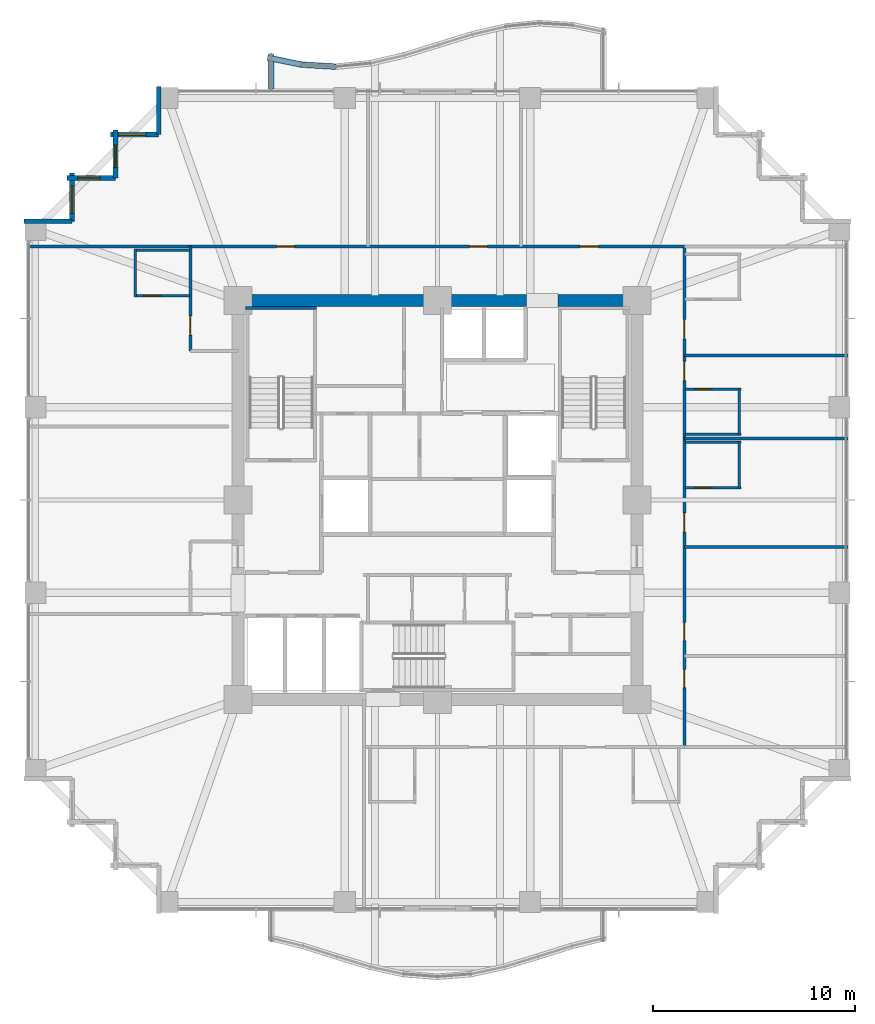
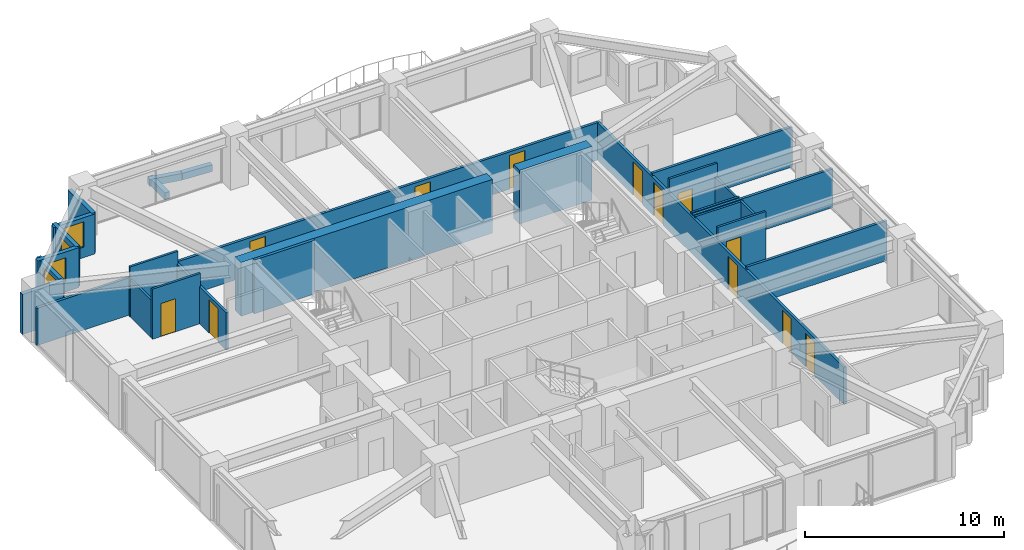
# One storey, part 35 of 38: 28 walls, 12 doors, 4 windows, 16 openings.
"""IFC4 building model written with IfcOpenShell, lengths in metres."""

from ifc_helpers import new_model, si_unit, direction, frame, frame_2d, origin, place, context, subcontext, project, spatial, rectangle, extrude, material, layer, layer_set, type_object, element, fill, save


model = new_model("IFC4")

# Units and contexts
model_context = context("Model", 3, precision=1e-05, world=origin(), true_north=direction((0.0, 1.0)))
body_context = subcontext(model_context, "Body", "Model", "MODEL_VIEW")
ifc_project = project(units=[si_unit("LENGTHUNIT", "METRE"), si_unit("AREAUNIT", "SQUARE_METRE"), si_unit("VOLUMEUNIT", "CUBIC_METRE"), si_unit("PLANEANGLEUNIT", "RADIAN"), si_unit("MASSUNIT", "GRAM", prefix="KILO")], contexts=[model_context])

# Site, building, storey
site_placement = place(None, origin())
site = spatial("IfcSite", under=ifc_project, at=site_placement, CompositionType="ELEMENT")
building_placement = place(site_placement, origin())
building = spatial("IfcBuilding", under=site, at=building_placement, Name="Kolvaren Belvedere", CompositionType="ELEMENT")
storey_placement = place(building_placement, frame((0.0, 0.0, 98.60009765625)))
storey = spatial("IfcBuildingStorey", under=building, at=storey_placement, Name="L28", CompositionType="ELEMENT", Elevation=98.60009765625)

# Walls
ifc_material_1 = material(Name="Concrete C60/75", Category="concrete")
ifc_layer_1 = layer(ifc_material_1, 0.60009765625)
ifc_layer_set_1 = layer_set([ifc_layer_1], Name="Concrete C60/75")
wall_type_1 = type_object("IfcWallType", Name="CW-CORE-600", PredefinedType="SHEAR", material=ifc_layer_set_1)
wall_1_placement = place(storey_placement, frame((-10.199951171875, 9.89990234375, 0.0), z_axis=(0.0, 0.0, 1.0), x_axis=(1.0, 0.0, 0.0)))
element("IfcWall", 1, at=wall_1_placement, inside=storey, type_object=wall_type_1, Name="L28 North Core Shear Wall 1", PredefinedType="SHEAR", context=body_context, shape_type="SweptSolid", body=[
    extrude(rectangle(XDim=14.619873046875, YDim=0.60009765625, at=frame_2d((7.31005859375, 0.0))), origin(), (0.0, 0.0, 1.0), 3.2998046875),
])
wall_2_placement = place(storey_placement, frame((5.97998046875, 9.89990234375, 0.0), z_axis=(0.0, 0.0, 1.0), x_axis=(1.0, 0.0, 0.0)))
element("IfcWall", 2, at=wall_2_placement, inside=storey, type_object=wall_type_1, Name="L28 North Core Shear Wall 2", PredefinedType="SHEAR", context=body_context, shape_type="SweptSolid", body=[
    extrude(rectangle(XDim=4.219970703125, YDim=0.60009765625, at=frame_2d((2.10986328125, 0.0))), origin(), (0.0, 0.0, 1.0), 3.2998046875),
])
ifc_material_2 = material(Name="Concrete C50/60", Category="concrete")
ifc_layer_2 = layer(ifc_material_2, 0.159912109375)
ifc_layer_set_2 = layer_set([ifc_layer_2], Name="Concrete C50/60")
wall_type_2 = type_object("IfcWallType", Name="CW-STAIR-160", PredefinedType="SHEAR", material=ifc_layer_set_2)
wall_3_placement = place(storey_placement, frame((-9.52001953125, 9.530029296875, 0.0), z_axis=(0.0, 0.0, 1.0), x_axis=(1.0, 0.0, 0.0)))
element("IfcWall", 3, at=wall_3_placement, inside=storey, type_object=wall_type_2, Name="L28 Stair ST-1 North Shear Wall", PredefinedType="SHEAR", context=body_context, shape_type="SweptSolid", body=[
    extrude(rectangle(XDim=3.52001953125, YDim=0.159912109375, at=frame_2d((1.760009765625, 0.0))), origin(), (0.0, 0.0, 1.0), 3.2998046875),
])

# Wall, openings, doors
ifc_material_3 = material(Name="Gypsum fire-rated partition assembly", Category="gypsum")
ifc_layer_3 = layer(ifc_material_3, 0.14990234375)
ifc_layer_set_3 = layer_set([ifc_layer_3], Name="Gypsum fire-rated partition assembly")
wall_type_3 = type_object("IfcWallType", Name="WL-CORR-150", PredefinedType="PARTITIONING", material=ifc_layer_set_3)
wall_4_placement = place(storey_placement, frame((-12.260009765625, 12.580078125, 0.0), z_axis=(0.0, 0.0, 1.0), x_axis=(1.0, 0.0, 0.0)))
wall_4 = element("IfcWall", 4, at=wall_4_placement, inside=storey, type_object=wall_type_3, Name="L28 North Corridor Wall", PredefinedType="PARTITIONING", context=body_context, shape_type="SweptSolid", body=[
    extrude(rectangle(XDim=24.52001953125, YDim=0.14990234375, at=frame_2d((12.260009765625, 0.0))), origin(), (0.0, 0.0, 1.0), 2.2919921875),
])
opening_1_placement = place(wall_4_placement, frame((4.27490234375, 0.0, 0.0)))
opening_1 = element("IfcOpeningElement", 5, at=opening_1_placement, cuts=wall_4, Name="Opening D-INT90", PredefinedType="OPENING", context=body_context, shape_type="SweptSolid", body=[
    extrude(rectangle(XDim=0.89990234375, YDim=2.06005859375, at=frame_2d((0.449951171875, 1.030029296875))), frame((0.0, 0.0849609375, 0.0), z_axis=(0.0, -1.0, 0.0), x_axis=(1.0, 0.0, 0.0)), (0.0, 0.0, 1.0), 0.169921875),
])
opening_2_placement = place(wall_4_placement, frame((13.840087890625, 0.0, 0.0)))
opening_2 = element("IfcOpeningElement", 6, at=opening_2_placement, cuts=wall_4, Name="Opening D-INT90", PredefinedType="OPENING", context=body_context, shape_type="SweptSolid", body=[
    extrude(rectangle(XDim=0.89990234375, YDim=2.06005859375, at=frame_2d((0.449951171875, 1.030029296875))), frame((0.0, 0.0849609375, 0.0), z_axis=(0.0, -1.0, 0.0), x_axis=(1.0, 0.0, 0.0)), (0.0, 0.0, 1.0), 0.169921875),
])
opening_3_placement = place(wall_4_placement, frame((19.344970703125, 0.0, 0.0)))
opening_3 = element("IfcOpeningElement", 7, at=opening_3_placement, cuts=wall_4, Name="Opening D-INT90", PredefinedType="OPENING", context=body_context, shape_type="SweptSolid", body=[
    extrude(rectangle(XDim=0.89990234375, YDim=2.06005859375, at=frame_2d((0.449951171875, 1.030029296875))), frame((0.0, 0.0849609375, 0.0), z_axis=(0.0, -1.0, 0.0), x_axis=(1.0, 0.0, 0.0)), (0.0, 0.0, 1.0), 0.169921875),
])
ifc_material_4 = material(Name="Stained Pacific white oak", Category="timber")
door_type_1 = type_object("IfcDoorType", Name="DR-INT-900", OperationType="NOTDEFINED", PredefinedType="DOOR", material=ifc_material_4)
door_1_placement = place(opening_1_placement, origin())
door_1 = element("IfcDoor", 8, at=door_1_placement, inside=storey, type_object=door_type_1, Name="L28 Lounge 2801 Door", OperationType="SINGLE_SWING_LEFT", OverallHeight=2.06005859375, OverallWidth=0.89990234375, PredefinedType="DOOR", context=body_context, shape_type="SweptSolid", body=[
    extrude(rectangle(XDim=0.89990234375, YDim=2.06005859375, at=frame_2d((0.449951171875, 1.030029296875))), frame((0.0, 0.02490234375, 0.0), z_axis=(0.0, -1.0, 0.0), x_axis=(1.0, 0.0, 0.0)), (0.0, 0.0, 1.0), 0.050048828125),
])
fill(opening_1, door_1)
door_2_placement = place(opening_2_placement, origin())
door_2 = element("IfcDoor", 9, at=door_2_placement, inside=storey, type_object=door_type_1, Name="L28 Wellness Yoga & Reading Gym 2802 Door", OperationType="SINGLE_SWING_RIGHT", OverallHeight=2.06005859375, OverallWidth=0.89990234375, PredefinedType="DOOR", context=body_context, shape_type="SweptSolid", body=[
    extrude(rectangle(XDim=0.89990234375, YDim=2.06005859375, at=frame_2d((0.449951171875, 1.030029296875))), frame((0.0, 0.02490234375, 0.0), z_axis=(0.0, -1.0, 0.0), x_axis=(1.0, 0.0, 0.0)), (0.0, 0.0, 1.0), 0.050048828125),
])
fill(opening_2, door_2)
door_3_placement = place(opening_3_placement, origin())
door_3 = element("IfcDoor", 10, at=door_3_placement, inside=storey, type_object=door_type_1, Name="L28 Lounge 2803 Door", OperationType="SINGLE_SWING_LEFT", OverallHeight=2.06005859375, OverallWidth=0.89990234375, PredefinedType="DOOR", context=body_context, shape_type="SweptSolid", body=[
    extrude(rectangle(XDim=0.89990234375, YDim=2.06005859375, at=frame_2d((0.449951171875, 1.030029296875))), frame((0.0, 0.02490234375, 0.0), z_axis=(0.0, -1.0, 0.0), x_axis=(1.0, 0.0, 0.0)), (0.0, 0.0, 1.0), 0.050048828125),
])
fill(opening_3, door_3)

# Wall, opening, door
wall_5_placement = place(storey_placement, frame((-12.260009765625, 7.39990234375, 0.0), z_axis=(0.0, 0.0, 1.0), x_axis=(0.0, 1.0, 0.0)))
wall_5 = element("IfcWall", 11, at=wall_5_placement, inside=storey, type_object=wall_type_3, Name="L28 NW Corridor End Wall", PredefinedType="PARTITIONING", context=body_context, shape_type="SweptSolid", body=[
    extrude(rectangle(XDim=5.18017578125, YDim=0.14990234375, at=frame_2d((2.590087890625, 0.0))), origin(), (0.0, 0.0, 1.0), 2.2919921875),
])
opening_4_placement = place(wall_5_placement, frame((0.787109375, 0.0, 0.0)))
opening_4 = element("IfcOpeningElement", 12, at=opening_4_placement, cuts=wall_5, Name="Opening D-FD60", PredefinedType="OPENING", context=body_context, shape_type="SweptSolid", body=[
    extrude(rectangle(XDim=0.949951171875, YDim=2.06005859375, at=frame_2d((0.47509765625, 1.030029296875))), frame((0.0, 0.0849609375, 0.0), z_axis=(0.0, -1.0, 0.0), x_axis=(1.0, 0.0, 0.0)), (0.0, 0.0, 1.0), 0.169921875),
])
ifc_material_5 = material(Name="Acoustic white-oak fire door leaf", Category="timber")
door_type_2 = type_object("IfcDoorType", Name="DR-FD60-950", OperationType="NOTDEFINED", PredefinedType="DOOR", material=ifc_material_5)
door_4_placement = place(opening_4_placement, origin())
door_4 = element("IfcDoor", 13, at=door_4_placement, inside=storey, type_object=door_type_2, Name="L28 Botanical Hospitality Suite 2809 Entry Door", OperationType="SINGLE_SWING_LEFT", OverallHeight=2.06005859375, OverallWidth=0.949951171875, PredefinedType="DOOR", context=body_context, shape_type="SweptSolid", body=[
    extrude(rectangle(XDim=0.949951171875, YDim=2.06005859375, at=frame_2d((0.47509765625, 1.030029296875))), frame((0.0, 0.02490234375, 0.0), z_axis=(0.0, -1.0, 0.0), x_axis=(1.0, 0.0, 0.0)), (0.0, 0.0, 1.0), 0.050048828125),
])
fill(opening_4, door_4)

# Wall, openings, doors
wall_6_placement = place(storey_placement, frame((12.260009765625, -12.260009765625, 0.0), z_axis=(0.0, 0.0, 1.0), x_axis=(0.0, 1.0, 0.0)))
wall_6 = element("IfcWall", 14, at=wall_6_placement, inside=storey, type_object=wall_type_3, Name="L28 East Corridor Wall", PredefinedType="PARTITIONING", context=body_context, shape_type="SweptSolid", body=[
    extrude(rectangle(XDim=24.840087890625, YDim=0.14990234375, at=frame_2d((12.419921875, 0.0))), origin(), (0.0, 0.0, 1.0), 2.2919921875),
])
opening_5_placement = place(wall_6_placement, frame((2.9443359375, 0.0, 0.0)))
opening_5 = element("IfcOpeningElement", 15, at=opening_5_placement, cuts=wall_6, Name="Opening D-INT90", PredefinedType="OPENING", context=body_context, shape_type="SweptSolid", body=[
    extrude(rectangle(XDim=0.89990234375, YDim=2.06005859375, at=frame_2d((0.449951171875, 1.030029296875))), frame((0.0, 0.0849609375, 0.0), z_axis=(0.0, -1.0, 0.0), x_axis=(1.0, 0.0, 0.0)), (0.0, 0.0, 1.0), 0.169921875),
])
opening_6_placement = place(wall_6_placement, frame((5.279296875, 0.0, 0.0)))
opening_6 = element("IfcOpeningElement", 16, at=opening_6_placement, cuts=wall_6, Name="Opening D-INT90", PredefinedType="OPENING", context=body_context, shape_type="SweptSolid", body=[
    extrude(rectangle(XDim=0.89990234375, YDim=2.06005859375, at=frame_2d((0.449951171875, 1.030029296875))), frame((0.0, 0.0849609375, 0.0), z_axis=(0.0, -1.0, 0.0), x_axis=(1.0, 0.0, 0.0)), (0.0, 0.0, 1.0), 0.169921875),
])
opening_7_placement = place(wall_6_placement, frame((10.670654296875, 0.0, 0.0)))
opening_7 = element("IfcOpeningElement", 17, at=opening_7_placement, cuts=wall_6, Name="Opening D-FD60", PredefinedType="OPENING", context=body_context, shape_type="SweptSolid", body=[
    extrude(rectangle(XDim=0.949951171875, YDim=2.06005859375, at=frame_2d((0.47509765625, 1.030029296875))), frame((0.0, 0.0849609375, 0.0), z_axis=(0.0, -1.0, 0.0), x_axis=(1.0, 0.0, 0.0)), (0.0, 0.0, 1.0), 0.169921875),
])
opening_8_placement = place(wall_6_placement, frame((18.185546875, 0.0, 0.0)))
opening_8 = element("IfcOpeningElement", 18, at=opening_8_placement, cuts=wall_6, Name="Opening D-FD60", PredefinedType="OPENING", context=body_context, shape_type="SweptSolid", body=[
    extrude(rectangle(XDim=0.949951171875, YDim=2.06005859375, at=frame_2d((0.47509765625, 1.030029296875))), frame((0.0, 0.0849609375, 0.0), z_axis=(0.0, -1.0, 0.0), x_axis=(1.0, 0.0, 0.0)), (0.0, 0.0, 1.0), 0.169921875),
])
opening_9_placement = place(wall_6_placement, frame((20.258544921875, 0.0, 0.0)))
opening_9 = element("IfcOpeningElement", 19, at=opening_9_placement, cuts=wall_6, Name="Opening D-FD60", PredefinedType="OPENING", context=body_context, shape_type="SweptSolid", body=[
    extrude(rectangle(XDim=0.949951171875, YDim=2.06005859375, at=frame_2d((0.47509765625, 1.030029296875))), frame((0.0, 0.0849609375, 0.0), z_axis=(0.0, -1.0, 0.0), x_axis=(1.0, 0.0, 0.0)), (0.0, 0.0, 1.0), 0.169921875),
])
door_5_placement = place(opening_7_placement, origin())
door_5 = element("IfcDoor", 20, at=door_5_placement, inside=storey, type_object=door_type_2, Name="L28 Botanical Hospitality Suite 2806 Entry Door", OperationType="SINGLE_SWING_LEFT", OverallHeight=2.06005859375, OverallWidth=0.949951171875, PredefinedType="DOOR", context=body_context, shape_type="SweptSolid", body=[
    extrude(rectangle(XDim=0.949951171875, YDim=2.06005859375, at=frame_2d((0.47509765625, 1.030029296875))), frame((0.0, 0.02490234375, 0.0), z_axis=(0.0, -1.0, 0.0), x_axis=(1.0, 0.0, 0.0)), (0.0, 0.0, 1.0), 0.050048828125),
])
fill(opening_7, door_5)
door_6_placement = place(opening_8_placement, origin())
door_6 = element("IfcDoor", 21, at=door_6_placement, inside=storey, type_object=door_type_2, Name="L28 King Guest Room 2807 Entry Door", OperationType="SINGLE_SWING_LEFT", OverallHeight=2.06005859375, OverallWidth=0.949951171875, PredefinedType="DOOR", context=body_context, shape_type="SweptSolid", body=[
    extrude(rectangle(XDim=0.949951171875, YDim=2.06005859375, at=frame_2d((0.47509765625, 1.030029296875))), frame((0.0, 0.02490234375, 0.0), z_axis=(0.0, -1.0, 0.0), x_axis=(1.0, 0.0, 0.0)), (0.0, 0.0, 1.0), 0.050048828125),
])
fill(opening_8, door_6)
door_7_placement = place(opening_9_placement, origin())
door_7 = element("IfcDoor", 22, at=door_7_placement, inside=storey, type_object=door_type_2, Name="L28 King Guest Room 2808 Entry Door", OperationType="SINGLE_SWING_LEFT", OverallHeight=2.06005859375, OverallWidth=0.949951171875, PredefinedType="DOOR", context=body_context, shape_type="SweptSolid", body=[
    extrude(rectangle(XDim=0.949951171875, YDim=2.06005859375, at=frame_2d((0.47509765625, 1.030029296875))), frame((0.0, 0.02490234375, 0.0), z_axis=(0.0, -1.0, 0.0), x_axis=(1.0, 0.0, 0.0)), (0.0, 0.0, 1.0), 0.050048828125),
])
fill(opening_9, door_7)
door_8_placement = place(opening_5_placement, origin())
door_8 = element("IfcDoor", 23, at=door_8_placement, inside=storey, type_object=door_type_1, Name="L28 Guest Tea & Espresso Kitchen 2804 Door", OperationType="SINGLE_SWING_RIGHT", OverallHeight=2.06005859375, OverallWidth=0.89990234375, PredefinedType="DOOR", context=body_context, shape_type="SweptSolid", body=[
    extrude(rectangle(XDim=0.89990234375, YDim=2.06005859375, at=frame_2d((0.449951171875, 1.030029296875))), frame((0.0, 0.02490234375, 0.0), z_axis=(0.0, -1.0, 0.0), x_axis=(1.0, 0.0, 0.0)), (0.0, 0.0, 1.0), 0.050048828125),
])
fill(opening_5, door_8)
door_9_placement = place(opening_6_placement, origin())
door_9 = element("IfcDoor", 24, at=door_9_placement, inside=storey, type_object=door_type_1, Name="L28 Private Hospitality Meeting Room 2805 Door", OperationType="SINGLE_SWING_LEFT", OverallHeight=2.06005859375, OverallWidth=0.89990234375, PredefinedType="DOOR", context=body_context, shape_type="SweptSolid", body=[
    extrude(rectangle(XDim=0.89990234375, YDim=2.06005859375, at=frame_2d((0.449951171875, 1.030029296875))), frame((0.0, 0.02490234375, 0.0), z_axis=(0.0, -1.0, 0.0), x_axis=(1.0, 0.0, 0.0)), (0.0, 0.0, 1.0), 0.050048828125),
])
fill(opening_6, door_9)

# Wall
ifc_material_6 = material(Name="Insulated pale-metal facade wall assembly", Category="aluminium")
ifc_layer_4 = layer(ifc_material_6, 0.239990234375)
ifc_layer_set_4 = layer_set([ifc_layer_4], Name="Insulated pale-metal facade wall assembly")
wall_type_4 = type_object("IfcWallType", Name="WL-EXT-240", PredefinedType="STANDARD", material=ifc_layer_set_4)
wall_7_placement = place(storey_placement, frame((-13.830078125, 18.1298828125, 0.0), z_axis=(0.0, 0.0, 1.0), x_axis=(0.0, 1.0, 0.0)))
element("IfcWall", 25, at=wall_7_placement, inside=storey, type_object=wall_type_4, Name="L28 Serrated Corner Facade Wall 16", PredefinedType="STANDARD", context=body_context, shape_type="SweptSolid", body=[
    extrude(rectangle(XDim=2.39013671875, YDim=0.239990234375, at=frame_2d((1.195068359375, 0.0))), origin(), (0.0, 0.0, 1.0), 2.458984375),
])

# Wall, opening, window
wall_8_placement = place(storey_placement, frame((-16.219970703125, 18.1298828125, 0.0), z_axis=(0.0, 0.0, 1.0), x_axis=(1.0, 0.0, 0.0)))
wall_8 = element("IfcWall", 26, at=wall_8_placement, inside=storey, type_object=wall_type_4, Name="L28 Serrated Corner Facade Wall 17", PredefinedType="STANDARD", context=body_context, shape_type="SweptSolid", body=[
    extrude(rectangle(XDim=2.389892578125, YDim=0.239990234375, at=frame_2d((1.19482421875, 0.0))), origin(), (0.0, 0.0, 1.0), 2.458984375),
])
opening_10_placement = place(wall_8_placement, frame((0.39990234375, 0.0, 0.64990234375)))
opening_10 = element("IfcOpeningElement", 27, at=opening_10_placement, cuts=wall_8, Name="Opening W-1350", PredefinedType="OPENING", context=body_context, shape_type="SweptSolid", body=[
    extrude(rectangle(XDim=1.35009765625, YDim=1.550048828125, at=frame_2d((0.675048828125, 0.77490234375))), frame((0.0, 0.1298828125, 0.0), z_axis=(0.0, -1.0, 0.0), x_axis=(1.0, 0.0, 0.0)), (0.0, 0.0, 1.0), 0.260009765625),
])
ifc_material_7 = material(Name="Low-iron triple insulated glass", Category="glass")
window_type_1 = type_object("IfcWindowType", Name="WN-CORN-1350", PartitioningType="SINGLE_PANEL", PredefinedType="WINDOW", material=ifc_material_7)
window_1_placement = place(opening_10_placement, origin())
window_1 = element("IfcWindow", 28, at=window_1_placement, inside=storey, type_object=window_type_1, Name="L28 Serrated Corner Vision Window 17", OverallHeight=1.550048828125, OverallWidth=1.35009765625, PartitioningType="SINGLE_PANEL", PredefinedType="WINDOW", context=body_context, shape_type="SweptSolid", body=[
    extrude(rectangle(XDim=1.35009765625, YDim=1.550048828125, at=frame_2d((0.675048828125, 0.77490234375))), frame((0.0, 0.030029296875, 0.0), z_axis=(0.0, -1.0, 0.0), x_axis=(1.0, 0.0, 0.0)), (0.0, 0.0, 1.0), 0.06005859375),
])
fill(opening_10, window_1)

wall_9_placement = place(storey_placement, frame((-15.97998046875, 15.97998046875, 0.0), z_axis=(0.0, 0.0, 1.0), x_axis=(0.0, 1.0, 0.0)))
wall_9 = element("IfcWall", 29, at=wall_9_placement, inside=storey, type_object=wall_type_4, Name="L28 Serrated Corner Facade Wall 18", PredefinedType="STANDARD", context=body_context, shape_type="SweptSolid", body=[
    extrude(rectangle(XDim=2.39013671875, YDim=0.239990234375, at=frame_2d((1.195068359375, 0.0))), origin(), (0.0, 0.0, 1.0), 2.458984375),
])
opening_11_placement = place(wall_9_placement, frame((0.52490234375, 0.0, 0.64990234375)))
opening_11 = element("IfcOpeningElement", 30, at=opening_11_placement, cuts=wall_9, Name="Opening W-1100", PredefinedType="OPENING", context=body_context, shape_type="SweptSolid", body=[
    extrude(rectangle(XDim=1.10009765625, YDim=1.449951171875, at=frame_2d((0.550048828125, 0.72509765625))), frame((0.0, 0.1298828125, 0.0), z_axis=(0.0, -1.0, 0.0), x_axis=(1.0, 0.0, 0.0)), (0.0, 0.0, 1.0), 0.260009765625),
])
ifc_material_8 = material(Name="Low-iron triple insulated glass", Category="glass")
window_type_2 = type_object("IfcWindowType", Name="WN-CORN-1100", PartitioningType="SINGLE_PANEL", PredefinedType="WINDOW", material=ifc_material_8)
window_2_placement = place(opening_11_placement, origin())
window_2 = element("IfcWindow", 31, at=window_2_placement, inside=storey, type_object=window_type_2, Name="L28 Serrated Corner Vision Window 18", OverallHeight=1.449951171875, OverallWidth=1.10009765625, PartitioningType="SINGLE_PANEL", PredefinedType="WINDOW", context=body_context, shape_type="SweptSolid", body=[
    extrude(rectangle(XDim=1.10009765625, YDim=1.449951171875, at=frame_2d((0.550048828125, 0.72509765625))), frame((0.0, 0.030029296875, 0.0), z_axis=(0.0, -1.0, 0.0), x_axis=(1.0, 0.0, 0.0)), (0.0, 0.0, 1.0), 0.06005859375),
])
fill(opening_11, window_2)

wall_10_placement = place(storey_placement, frame((-18.3701171875, 15.97998046875, 0.0), z_axis=(0.0, 0.0, 1.0), x_axis=(1.0, 0.0, 0.0)))
wall_10 = element("IfcWall", 32, at=wall_10_placement, inside=storey, type_object=wall_type_4, Name="L28 Serrated Corner Facade Wall 19", PredefinedType="STANDARD", context=body_context, shape_type="SweptSolid", body=[
    extrude(rectangle(XDim=2.39013671875, YDim=0.239990234375, at=frame_2d((1.195068359375, 0.0))), origin(), (0.0, 0.0, 1.0), 2.458984375),
])
opening_12_placement = place(wall_10_placement, frame((0.52490234375, 0.0, 0.64990234375)))
opening_12 = element("IfcOpeningElement", 33, at=opening_12_placement, cuts=wall_10, Name="Opening W-1100", PredefinedType="OPENING", context=body_context, shape_type="SweptSolid", body=[
    extrude(rectangle(XDim=1.10009765625, YDim=1.449951171875, at=frame_2d((0.550048828125, 0.72509765625))), frame((0.0, 0.1298828125, 0.0), z_axis=(0.0, -1.0, 0.0), x_axis=(1.0, 0.0, 0.0)), (0.0, 0.0, 1.0), 0.260009765625),
])
window_3_placement = place(opening_12_placement, origin())
window_3 = element("IfcWindow", 34, at=window_3_placement, inside=storey, type_object=window_type_2, Name="L28 Serrated Corner Vision Window 19", OverallHeight=1.449951171875, OverallWidth=1.10009765625, PartitioningType="SINGLE_PANEL", PredefinedType="WINDOW", context=body_context, shape_type="SweptSolid", body=[
    extrude(rectangle(XDim=1.10009765625, YDim=1.449951171875, at=frame_2d((0.550048828125, 0.72509765625))), frame((0.0, 0.030029296875, 0.0), z_axis=(0.0, -1.0, 0.0), x_axis=(1.0, 0.0, 0.0)), (0.0, 0.0, 1.0), 0.06005859375),
])
fill(opening_12, window_3)

wall_11_placement = place(storey_placement, frame((-18.1298828125, 13.830078125, 0.0), z_axis=(0.0, 0.0, 1.0), x_axis=(0.0, 1.0, 0.0)))
wall_11 = element("IfcWall", 35, at=wall_11_placement, inside=storey, type_object=wall_type_4, Name="L28 Serrated Corner Facade Wall 20", PredefinedType="STANDARD", context=body_context, shape_type="SweptSolid", body=[
    extrude(rectangle(XDim=2.389892578125, YDim=0.239990234375, at=frame_2d((1.19482421875, 0.0))), origin(), (0.0, 0.0, 1.0), 2.458984375),
])
opening_13_placement = place(wall_11_placement, frame((0.39990234375, 0.0, 0.64990234375)))
opening_13 = element("IfcOpeningElement", 36, at=opening_13_placement, cuts=wall_11, Name="Opening W-1350", PredefinedType="OPENING", context=body_context, shape_type="SweptSolid", body=[
    extrude(rectangle(XDim=1.35009765625, YDim=1.550048828125, at=frame_2d((0.675048828125, 0.77490234375))), frame((0.0, 0.1298828125, 0.0), z_axis=(0.0, -1.0, 0.0), x_axis=(1.0, 0.0, 0.0)), (0.0, 0.0, 1.0), 0.260009765625),
])
window_4_placement = place(opening_13_placement, origin())
window_4 = element("IfcWindow", 37, at=window_4_placement, inside=storey, type_object=window_type_1, Name="L28 Serrated Corner Vision Window 20", OverallHeight=1.550048828125, OverallWidth=1.35009765625, PartitioningType="SINGLE_PANEL", PredefinedType="WINDOW", context=body_context, shape_type="SweptSolid", body=[
    extrude(rectangle(XDim=1.35009765625, YDim=1.550048828125, at=frame_2d((0.675048828125, 0.77490234375))), frame((0.0, 0.030029296875, 0.0), z_axis=(0.0, -1.0, 0.0), x_axis=(1.0, 0.0, 0.0)), (0.0, 0.0, 1.0), 0.06005859375),
])
fill(opening_13, window_4)

# Walls
wall_12_placement = place(storey_placement, frame((-20.52001953125, 13.830078125, 0.0), z_axis=(0.0, 0.0, 1.0), x_axis=(1.0, 0.0, 0.0)))
element("IfcWall", 38, at=wall_12_placement, inside=storey, type_object=wall_type_4, Name="L28 Serrated Corner Facade Wall 21", PredefinedType="STANDARD", context=body_context, shape_type="SweptSolid", body=[
    extrude(rectangle(XDim=2.39013671875, YDim=0.239990234375, at=frame_2d((1.195068359375, 0.0))), origin(), (0.0, 0.0, 1.0), 2.458984375),
])
ifc_material_9 = material(Name="Gypsum acoustic partition assembly", Category="gypsum")
ifc_layer_5 = layer(ifc_material_9, 0.14990234375)
ifc_layer_set_5 = layer_set([ifc_layer_5], Name="Gypsum acoustic partition assembly")
wall_type_5 = type_object("IfcWallType", Name="WL-PART-150", PredefinedType="PARTITIONING", material=ifc_layer_set_5)
wall_13_placement = place(storey_placement, frame((-20.3798828125, 12.580078125, 0.0), z_axis=(0.0, 0.0, 1.0), x_axis=(1.0, 0.0, 0.0)))
element("IfcWall", 39, at=wall_13_placement, inside=storey, type_object=wall_type_5, Name="L28 Wing Divider PW-L28-QNW", PredefinedType="PARTITIONING", context=body_context, shape_type="SweptSolid", body=[
    extrude(rectangle(XDim=8.119873046875, YDim=0.14990234375, at=frame_2d((4.06005859375, 0.0))), origin(), (0.0, 0.0, 1.0), 2.2919921875),
])
wall_14_placement = place(storey_placement, frame((12.260009765625, -2.340087890625, 0.0), z_axis=(0.0, 0.0, 1.0), x_axis=(1.0, 0.0, 0.0)))
element("IfcWall", 40, at=wall_14_placement, inside=storey, type_object=wall_type_5, Name="L28 East Suite Demising Wall 2", PredefinedType="PARTITIONING", context=body_context, shape_type="SweptSolid", body=[
    extrude(rectangle(XDim=8.119873046875, YDim=0.14990234375, at=frame_2d((4.06005859375, 0.0))), origin(), (0.0, 0.0, 1.0), 2.448974609375),
])
wall_15_placement = place(storey_placement, frame((12.260009765625, 3.06005859375, 0.0), z_axis=(0.0, 0.0, 1.0), x_axis=(1.0, 0.0, 0.0)))
element("IfcWall", 41, at=wall_15_placement, inside=storey, type_object=wall_type_5, Name="L28 East Suite Demising Wall 3", PredefinedType="PARTITIONING", context=body_context, shape_type="SweptSolid", body=[
    extrude(rectangle(XDim=8.119873046875, YDim=0.14990234375, at=frame_2d((4.06005859375, 0.0))), origin(), (0.0, 0.0, 1.0), 2.368896484375),
])
wall_16_placement = place(storey_placement, frame((12.260009765625, 7.159912109375, 0.0), z_axis=(0.0, 0.0, 1.0), x_axis=(1.0, 0.0, 0.0)))
element("IfcWall", 42, at=wall_16_placement, inside=storey, type_object=wall_type_5, Name="L28 East Suite Demising Wall 4", PredefinedType="PARTITIONING", context=body_context, shape_type="SweptSolid", body=[
    extrude(rectangle(XDim=8.119873046875, YDim=0.14990234375, at=frame_2d((4.06005859375, 0.0))), origin(), (0.0, 0.0, 1.0), 2.448974609375),
])
ifc_material_10 = material(Name="Precast concrete C40/50", Category="concrete")
ifc_layer_6 = layer(ifc_material_10, 0.300048828125)
ifc_layer_set_6 = layer_set([ifc_layer_6], Name="Precast concrete C40/50")
wall_type_6 = type_object("IfcWallType", Name="WL-PLANTER-300", PredefinedType="PARAPET", material=ifc_layer_set_6)
wall_17_placement = place(storey_placement, frame((-5.049560546875, 21.50244140625, -0.0400390625), z_axis=(0.0, 0.0, 1.0), x_axis=(-0.998212296378, 0.059767979379, 0.0)))
element("IfcWall", 43, at=wall_17_placement, inside=storey, type_object=wall_type_6, Name="L28 Precast Structural Planter Wall BAL-N-20", PredefinedType="PARAPET", context=body_context, shape_type="SweptSolid", body=[
    extrude(rectangle(XDim=1.682861328125, YDim=0.280029296875, at=frame_2d((0.84130859375, 0.0))), origin(), (0.0, 0.0, 1.0), 0.419921875),
])
wall_18_placement = place(storey_placement, frame((-6.751953125, 21.60595703125, -0.0400390625), z_axis=(0.0, 0.0, 1.0), x_axis=(-0.979839912937, 0.199784246163, 0.0)))
element("IfcWall", 44, at=wall_18_placement, inside=storey, type_object=wall_type_6, Name="L28 Precast Structural Planter Wall BAL-N-21", PredefinedType="PARAPET", context=body_context, shape_type="SweptSolid", body=[
    extrude(rectangle(XDim=1.714599609375, YDim=0.280029296875, at=frame_2d((0.857421875, 0.0))), origin(), (0.0, 0.0, 1.0), 0.419921875),
])
wall_19_placement = place(storey_placement, frame((-8.239990234375, 22.105224609375, -0.0400390625), z_axis=(0.0, 0.0, 1.0), x_axis=(0.0, -1.0, 0.0)))
element("IfcWall", 45, at=wall_19_placement, inside=storey, type_object=wall_type_6, Name="L28 Precast Structural Planter Wall BAL-N-22", PredefinedType="PARAPET", context=body_context, shape_type="SweptSolid", body=[
    extrude(rectangle(XDim=1.705322265625, YDim=0.280029296875, at=frame_2d((0.8525390625, 0.0))), origin(), (0.0, 0.0, 1.0), 0.419921875),
])

# Wall, opening, door
ifc_material_11 = material(Name="Moisture-resistant gypsum partition", Category="gypsum")
ifc_layer_7 = layer(ifc_material_11, 0.125)
ifc_layer_set_7 = layer_set([ifc_layer_7], Name="Moisture-resistant gypsum partition")
wall_type_7 = type_object("IfcWallType", Name="WL-WET-125", PredefinedType="PARTITIONING", material=ifc_layer_set_7)
wall_20_placement = place(storey_placement, frame((12.27490234375, 0.614990234375, 0.0), z_axis=(0.0, 0.0, 1.0), x_axis=(1.0, 0.0, 0.0)))
wall_20 = element("IfcWall", 46, at=wall_20_placement, inside=storey, type_object=wall_type_7, Name="L28 Bathroom Partition PW-L28-BTH-6-N", PredefinedType="PARTITIONING", context=body_context, shape_type="SweptSolid", body=[
    extrude(rectangle(XDim=2.7900390625, YDim=0.125, at=frame_2d((1.39501953125, 0.0))), origin(), (0.0, 0.0, 1.0), 3.079833984375),
])
opening_14_placement = place(wall_20_placement, frame((0.5, 0.0, 0.0)))
opening_14 = element("IfcOpeningElement", 47, at=opening_14_placement, cuts=wall_20, Name="Opening D-BTH85", PredefinedType="OPENING", context=body_context, shape_type="SweptSolid", body=[
    extrude(rectangle(XDim=0.85009765625, YDim=2.030029296875, at=frame_2d((0.425048828125, 1.01513671875))), frame((0.0, 0.072509765625, 0.0), z_axis=(0.0, -1.0, 0.0), x_axis=(1.0, 0.0, 0.0)), (0.0, 0.0, 1.0), 0.14501953125),
])
ifc_material_12 = material(Name="Moisture-sealed Pacific white oak", Category="timber")
door_type_3 = type_object("IfcDoorType", Name="DR-BATH-850", OperationType="NOTDEFINED", PredefinedType="DOOR", material=ifc_material_12)
door_10_placement = place(opening_14_placement, origin())
door_10 = element("IfcDoor", 48, at=door_10_placement, inside=storey, type_object=door_type_3, Name="L28 En-Suite Bathroom 2806 Door", OperationType="SINGLE_SWING_RIGHT", OverallHeight=2.030029296875, OverallWidth=0.85009765625, PredefinedType="DOOR", context=body_context, shape_type="SweptSolid", body=[
    extrude(rectangle(XDim=0.85009765625, YDim=2.030029296875, at=frame_2d((0.425048828125, 1.01513671875))), frame((0.0, 0.02490234375, 0.0), z_axis=(0.0, -1.0, 0.0), x_axis=(1.0, 0.0, 0.0)), (0.0, 0.0, 1.0), 0.050048828125),
])
fill(opening_14, door_10)

# Walls
wall_21_placement = place(storey_placement, frame((14.985107421875, 0.554931640625, 0.0), z_axis=(0.0, 0.0, 1.0), x_axis=(0.0, 1.0, 0.0)))
element("IfcWall", 49, at=wall_21_placement, inside=storey, type_object=wall_type_7, Name="L28 Bathroom Partition PW-L28-BTH-6-V", PredefinedType="PARTITIONING", context=body_context, shape_type="SweptSolid", body=[
    extrude(rectangle(XDim=2.3701171875, YDim=0.125, at=frame_2d((1.18505859375, 0.0))), origin(), (0.0, 0.0, 1.0), 2.368896484375),
])
wall_22_placement = place(storey_placement, frame((12.27490234375, 2.864990234375, 0.0), z_axis=(0.0, 0.0, 1.0), x_axis=(1.0, 0.0, 0.0)))
element("IfcWall", 50, at=wall_22_placement, inside=storey, type_object=wall_type_7, Name="L28 Bathroom Partition PW-L28-BTH-6-S", PredefinedType="PARTITIONING", context=body_context, shape_type="SweptSolid", body=[
    extrude(rectangle(XDim=2.7900390625, YDim=0.125, at=frame_2d((1.39501953125, 0.0))), origin(), (0.0, 0.0, 1.0), 2.368896484375),
])

# Wall, opening, door
wall_23_placement = place(storey_placement, frame((12.27490234375, 5.5048828125, 0.0), z_axis=(0.0, 0.0, 1.0), x_axis=(1.0, 0.0, 0.0)))
wall_23 = element("IfcWall", 51, at=wall_23_placement, inside=storey, type_object=wall_type_7, Name="L28 Bathroom Partition PW-L28-BTH-7-N", PredefinedType="PARTITIONING", context=body_context, shape_type="SweptSolid", body=[
    extrude(rectangle(XDim=2.7900390625, YDim=0.125, at=frame_2d((1.39501953125, 0.0))), origin(), (0.0, 0.0, 1.0), 3.079833984375),
])
opening_15_placement = place(wall_23_placement, frame((0.5, 0.0, 0.0)))
opening_15 = element("IfcOpeningElement", 52, at=opening_15_placement, cuts=wall_23, Name="Opening D-BTH85", PredefinedType="OPENING", context=body_context, shape_type="SweptSolid", body=[
    extrude(rectangle(XDim=0.85009765625, YDim=2.030029296875, at=frame_2d((0.425048828125, 1.01513671875))), frame((0.0, 0.072509765625, 0.0), z_axis=(0.0, -1.0, 0.0), x_axis=(1.0, 0.0, 0.0)), (0.0, 0.0, 1.0), 0.14501953125),
])
door_11_placement = place(opening_15_placement, origin())
door_11 = element("IfcDoor", 53, at=door_11_placement, inside=storey, type_object=door_type_3, Name="L28 En-Suite Bathroom 2807 Door", OperationType="SINGLE_SWING_RIGHT", OverallHeight=2.030029296875, OverallWidth=0.85009765625, PredefinedType="DOOR", context=body_context, shape_type="SweptSolid", body=[
    extrude(rectangle(XDim=0.85009765625, YDim=2.030029296875, at=frame_2d((0.425048828125, 1.01513671875))), frame((0.0, 0.02490234375, 0.0), z_axis=(0.0, -1.0, 0.0), x_axis=(1.0, 0.0, 0.0)), (0.0, 0.0, 1.0), 0.050048828125),
])
fill(opening_15, door_11)

# Walls
wall_24_placement = place(storey_placement, frame((14.985107421875, 3.195068359375, 0.0), z_axis=(0.0, 0.0, 1.0), x_axis=(0.0, 1.0, 0.0)))
element("IfcWall", 54, at=wall_24_placement, inside=storey, type_object=wall_type_7, Name="L28 Bathroom Partition PW-L28-BTH-7-V", PredefinedType="PARTITIONING", context=body_context, shape_type="SweptSolid", body=[
    extrude(rectangle(XDim=2.369873046875, YDim=0.125, at=frame_2d((1.18505859375, 0.0))), origin(), (0.0, 0.0, 1.0), 2.2919921875),
])
wall_25_placement = place(storey_placement, frame((12.27490234375, 3.2548828125, 0.0), z_axis=(0.0, 0.0, 1.0), x_axis=(1.0, 0.0, 0.0)))
element("IfcWall", 55, at=wall_25_placement, inside=storey, type_object=wall_type_7, Name="L28 Bathroom Partition PW-L28-BTH-7-S", PredefinedType="PARTITIONING", context=body_context, shape_type="SweptSolid", body=[
    extrude(rectangle(XDim=2.7900390625, YDim=0.125, at=frame_2d((1.39501953125, 0.0))), origin(), (0.0, 0.0, 1.0), 2.368896484375),
])

# Wall, opening, door
wall_26_placement = place(storey_placement, frame((-15.06494140625, 10.135009765625, 0.0), z_axis=(0.0, 0.0, 1.0), x_axis=(1.0, 0.0, 0.0)))
wall_26 = element("IfcWall", 56, at=wall_26_placement, inside=storey, type_object=wall_type_7, Name="L28 Bathroom Partition PW-L28-BTH-9-N", PredefinedType="PARTITIONING", context=body_context, shape_type="SweptSolid", body=[
    extrude(rectangle(XDim=2.7900390625, YDim=0.125, at=frame_2d((1.39501953125, 0.0))), origin(), (0.0, 0.0, 1.0), 3.079833984375),
])
opening_16_placement = place(wall_26_placement, frame((0.5, 0.0, 0.0)))
opening_16 = element("IfcOpeningElement", 57, at=opening_16_placement, cuts=wall_26, Name="Opening D-BTH85", PredefinedType="OPENING", context=body_context, shape_type="SweptSolid", body=[
    extrude(rectangle(XDim=0.85009765625, YDim=2.030029296875, at=frame_2d((0.425048828125, 1.01513671875))), frame((0.0, 0.072509765625, 0.0), z_axis=(0.0, -1.0, 0.0), x_axis=(1.0, 0.0, 0.0)), (0.0, 0.0, 1.0), 0.14501953125),
])
door_12_placement = place(opening_16_placement, origin())
door_12 = element("IfcDoor", 58, at=door_12_placement, inside=storey, type_object=door_type_3, Name="L28 En-Suite Bathroom 2809 Door", OperationType="SINGLE_SWING_RIGHT", OverallHeight=2.030029296875, OverallWidth=0.85009765625, PredefinedType="DOOR", context=body_context, shape_type="SweptSolid", body=[
    extrude(rectangle(XDim=0.85009765625, YDim=2.030029296875, at=frame_2d((0.425048828125, 1.01513671875))), frame((0.0, 0.02490234375, 0.0), z_axis=(0.0, -1.0, 0.0), x_axis=(1.0, 0.0, 0.0)), (0.0, 0.0, 1.0), 0.050048828125),
])
fill(opening_16, door_12)

# Walls
wall_27_placement = place(storey_placement, frame((-14.985107421875, 10.074951171875, 0.0), z_axis=(0.0, 0.0, 1.0), x_axis=(0.0, 1.0, 0.0)))
element("IfcWall", 59, at=wall_27_placement, inside=storey, type_object=wall_type_7, Name="L28 Bathroom Partition PW-L28-BTH-9-V", PredefinedType="PARTITIONING", context=body_context, shape_type="SweptSolid", body=[
    extrude(rectangle(XDim=2.3701171875, YDim=0.125, at=frame_2d((1.18505859375, 0.0))), origin(), (0.0, 0.0, 1.0), 2.2919921875),
])
wall_28_placement = place(storey_placement, frame((-15.06494140625, 12.385009765625, 0.0), z_axis=(0.0, 0.0, 1.0), x_axis=(1.0, 0.0, 0.0)))
element("IfcWall", 60, at=wall_28_placement, inside=storey, type_object=wall_type_7, Name="L28 Bathroom Partition PW-L28-BTH-9-S", PredefinedType="PARTITIONING", context=body_context, shape_type="SweptSolid", body=[
    extrude(rectangle(XDim=2.7900390625, YDim=0.125, at=frame_2d((1.39501953125, 0.0))), origin(), (0.0, 0.0, 1.0), 3.079833984375),
])

save(model, "model.ifc")
